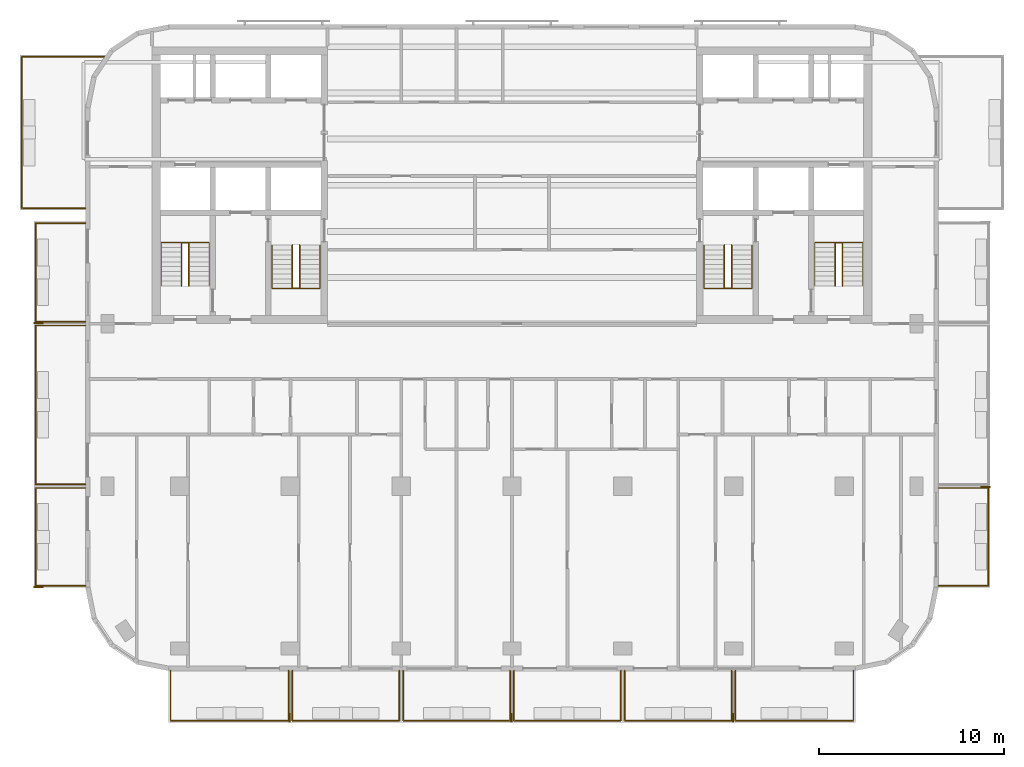
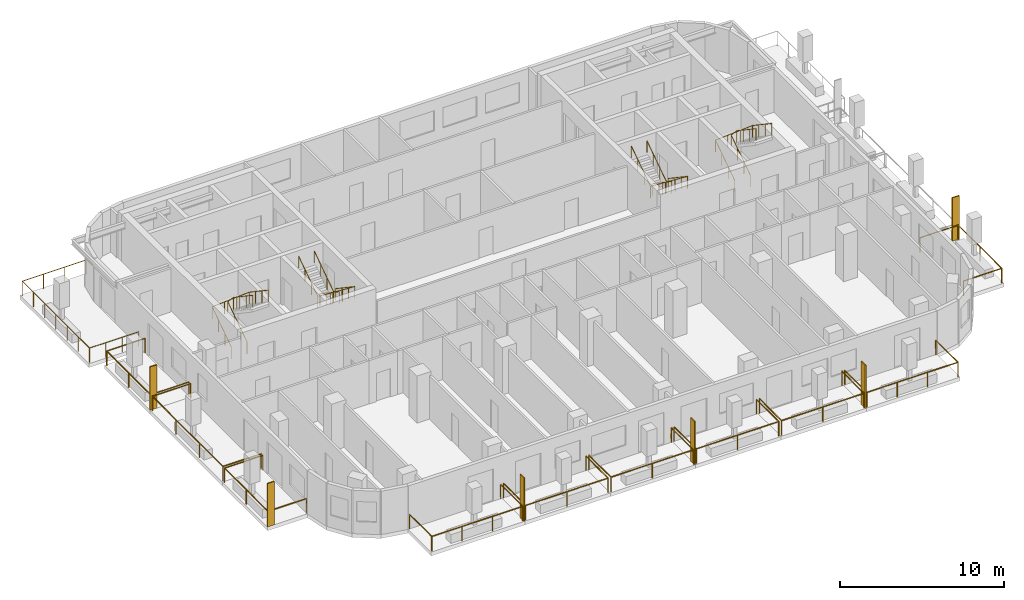
# One storey, part 9 of 11: 19 railings, 6 shading devices.
"""IFC4 building model written with IfcOpenShell, lengths in metres."""

import ifcopenshell
import ifcopenshell.guid

model = None  # the IFC model being written
_history = None  # IfcOwnerHistory: only IFC2X3 demands one
_inside = {}  # id of a spatial element -> (the spatial element, [elements in it])
_under = {}  # id of a project, library or spatial element -> (it, [spatial elements below it])
_declared = {}  # id of a project -> (the project, [libraries it declares])
_typed = {}  # id of a type object -> (the type object, [elements of that type])
_made_of = {}  # id of a material, layer set ... -> (it, [elements and type objects made of it])


def new_model(schema):
    """Start an empty IFC model of exactly this schema.

    Asked for "IFC4X3", IfcOpenShell would pick the latest addendum, in which some entities
    have other attributes; the version numbers below select the first issue.
    IFC2X3 requires an IfcOwnerHistory on every rooted entity: one is made here for all.
    """
    global model, _history
    if schema == "IFC4X3":
        model = ifcopenshell.file(schema_version=(4, 3, 0, 0))
    else:
        model = ifcopenshell.file(schema=schema)
    _inside.clear()
    _under.clear()
    _declared.clear()
    _typed.clear()
    _made_of.clear()
    _history = None
    if model.schema == "IFC2X3":
        org = make("IfcOrganization", Name="unknown")
        user = make(
            "IfcPersonAndOrganization",
            ThePerson=make("IfcPerson", FamilyName="unknown"),
            TheOrganization=org,
        )
        app = make(
            "IfcApplication",
            ApplicationDeveloper=org,
            Version="unknown",
            ApplicationFullName="unknown",
            ApplicationIdentifier="unknown",
        )
        _history = make(
            "IfcOwnerHistory",
            OwningUser=user,
            OwningApplication=app,
            ChangeAction="ADDED",
            CreationDate=0,
        )
    return model


def make(cls, **values):
    """One entity of the class cls with the attributes given. An attribute that is None is left unset."""
    return model.create_entity(
        cls, **{name: value for name, value in values.items() if value is not None}
    )


def rooted(cls, **values):
    """An entity with a GlobalId (a new one), such as an element, a storey or a relation."""
    return make(cls, GlobalId=ifcopenshell.guid.new(), OwnerHistory=_history, **values)


def si_unit(unit_type, name, prefix=None):
    """IfcSIUnit, for example si_unit("LENGTHUNIT", "METRE", prefix="MILLI")."""
    return make("IfcSIUnit", UnitType=unit_type, Prefix=prefix, Name=name)


def assignment(units):
    """IfcUnitAssignment: the units of a project."""
    return None if units is None else make("IfcUnitAssignment", Units=units)


def point(xyz):
    """IfcCartesianPoint."""
    return None if xyz is None else make("IfcCartesianPoint", Coordinates=xyz)


def direction(xyz):
    """IfcDirection."""
    return None if xyz is None else make("IfcDirection", DirectionRatios=xyz)


def frame(location, z_axis=None, x_axis=None):
    """IfcAxis2Placement3D, a coordinate frame: its origin and axes. An axis left out is left unset."""
    return make(
        "IfcAxis2Placement3D",
        Location=point(location),
        Axis=direction(z_axis),
        RefDirection=direction(x_axis),
    )


def frame_2d(location, x_axis=None):
    """IfcAxis2Placement2D, a coordinate frame in the plane: its origin and x axis."""
    return make(
        "IfcAxis2Placement2D", Location=point(location), RefDirection=direction(x_axis)
    )


def origin():
    """The frame at (0, 0, 0) with its axes left unset."""
    return frame((0.0, 0.0, 0.0))


def origin_2d():
    """The frame at (0, 0) in the plane with its x axis left unset."""
    return frame_2d((0.0, 0.0))


def place(relative_to, where):
    """IfcLocalPlacement: puts the frame where relative to a parent placement (None: the world)."""
    return make(
        "IfcLocalPlacement", PlacementRelTo=relative_to, RelativePlacement=where
    )


def context(
    kind, dimensions, precision=None, world=None, true_north=None, identifier=None
):
    """IfcGeometricRepresentationContext, for example the 3D "Model" context."""
    return make(
        "IfcGeometricRepresentationContext",
        ContextIdentifier=identifier,
        ContextType=kind,
        CoordinateSpaceDimension=dimensions,
        Precision=precision,
        WorldCoordinateSystem=world,
        TrueNorth=true_north,
    )


def subcontext(parent, identifier, kind, view, scale=None):
    """IfcGeometricRepresentationSubContext, for example "Body" below "Model"."""
    return make(
        "IfcGeometricRepresentationSubContext",
        ContextIdentifier=identifier,
        ContextType=kind,
        ParentContext=parent,
        TargetScale=scale,
        TargetView=view,
    )


def project(units=None, contexts=None):
    """IfcProject with its units and contexts."""
    return rooted(
        "IfcProject",
        Name="project",
        RepresentationContexts=contexts,
        UnitsInContext=assignment(units),
    )


def spatial(cls, under=None, at=None, **own):
    """A site, building, storey or space (cls), placed at a placement, below another one or the project."""
    s = rooted(cls, ObjectPlacement=at, **own)
    if under is not None:
        _under.setdefault(under.id(), (under, []))[1].append(s)
    return s


def profile(cls, at=None, kind="AREA", **sizes):
    """A parametric profile (cls). Its sizes go by their IFC names, for example OverallWidth=200.0."""
    return make(cls, ProfileType=kind, Position=at, **sizes)


def rectangle(**sizes):
    """IfcRectangleProfileDef."""
    return profile("IfcRectangleProfileDef", **sizes)


def circle(**sizes):
    """IfcCircleProfileDef."""
    return profile("IfcCircleProfileDef", **sizes)


def extrude(swept, where, along, depth):
    """IfcExtrudedAreaSolid: the profile swept, set in the frame where, extruded along a direction by depth."""
    return make(
        "IfcExtrudedAreaSolid",
        SweptArea=swept,
        Position=where,
        ExtrudedDirection=direction(along),
        Depth=depth,
    )


def shape(context_of_items, identifier, shape_type, items):
    """IfcShapeRepresentation: the items that make up one representation, for example the "Body"."""
    return make(
        "IfcShapeRepresentation",
        ContextOfItems=context_of_items,
        RepresentationIdentifier=identifier,
        RepresentationType=shape_type,
        Items=items,
    )


def material(Name=None, Category=None):
    """IfcMaterial."""
    return make("IfcMaterial", Name=Name, Category=Category)


def layer(
    of_material, thickness, ventilated=None, Name=None, Category=None, Priority=None
):
    """IfcMaterialLayer: one layer of a wall or slab, of a material (None: an air gap)."""
    return make(
        "IfcMaterialLayer",
        Material=of_material,
        LayerThickness=thickness,
        IsVentilated=ventilated,
        Name=Name,
        Category=Category,
        Priority=Priority,
    )


def layer_set(layers, Name=None):
    """IfcMaterialLayerSet."""
    return make("IfcMaterialLayerSet", MaterialLayers=layers, LayerSetName=Name)


def made_of(thing, what):
    """Note that an element or type object is made of a material, layer set ...; save() writes the relation."""
    if what is not None:
        _made_of.setdefault(what.id(), (what, []))[1].append(thing)
    return thing


def type_object(cls, material=None, **own):
    """A type object (cls), such as IfcWallType, which elements share."""
    return made_of(rooted(cls, **own), material)


def element(
    cls,
    number,
    at=None,
    inside=None,
    cuts=None,
    type_object=None,
    material=None,
    context=None,
    identifier="Body",
    shape_type=None,
    held_by="IfcProductDefinitionShape",
    body=None,
    shapes=None,
    **own,
):
    """One element of the class cls, such as IfcWall. Its Tag is "e" and its number.

    at: its placement. inside: the storey or other place that contains it. cuts: it is an
    opening in that element (IfcRelVoidsElement). A single representation is given by context,
    identifier, shape_type and body (its items); several are given by shapes. held_by: the class
    of the entity that holds the representations. save() writes the other relations.
    """
    e = rooted(cls, Tag="e%d" % number, ObjectPlacement=at, **own)
    if body is not None:
        shapes = [shape(context, identifier, shape_type, body)]
    if shapes is not None:
        e.Representation = make(held_by, Representations=shapes)
    if inside is not None:
        _inside.setdefault(inside.id(), (inside, []))[1].append(e)
    if cuts is not None:
        rooted(
            "IfcRelVoidsElement", RelatingBuildingElement=cuts, RelatedOpeningElement=e
        )
    if type_object is not None:
        _typed.setdefault(type_object.id(), (type_object, []))[1].append(e)
    return made_of(e, material)


def aggregate(whole, parts):
    """IfcRelAggregates: a whole, such as a stair, and the parts it consists of."""
    return rooted("IfcRelAggregates", RelatingObject=whole, RelatedObjects=parts)


def save(model, path):
    """Write the relations noted so far, then the file.

    IfcRelAggregates (storeys below a building ...), IfcRelContainedInSpatialStructure (elements
    in a storey), IfcRelDefinesByType, IfcRelAssociatesMaterial and IfcRelDeclares: one each for
    every whole, place, type object, material and project.
    """
    for whole, parts in _under.values():
        aggregate(whole, parts)
    for where, things in _inside.values():
        rooted(
            "IfcRelContainedInSpatialStructure",
            RelatedElements=things,
            RelatingStructure=where,
        )
    for kind, things in _typed.values():
        rooted("IfcRelDefinesByType", RelatedObjects=things, RelatingType=kind)
    for what, things in _made_of.values():
        rooted("IfcRelAssociatesMaterial", RelatedObjects=things, RelatingMaterial=what)
    for by, libraries in _declared.values():
        rooted("IfcRelDeclares", RelatingContext=by, RelatedDefinitions=libraries)
    model.write(path)


model = new_model("IFC4")

# Units and contexts
model_context = context("Model", 3, precision=1e-05, world=origin(), true_north=direction((0.0, 1.0)))
body_context = subcontext(model_context, "Body", "Model", "MODEL_VIEW")
ifc_project = project(units=[si_unit("LENGTHUNIT", "METRE"), si_unit("AREAUNIT", "SQUARE_METRE"), si_unit("VOLUMEUNIT", "CUBIC_METRE"), si_unit("PLANEANGLEUNIT", "RADIAN"), si_unit("MASSUNIT", "GRAM", prefix="KILO")], contexts=[model_context])

# Site, building, storey
site_placement = place(None, origin())
site = spatial("IfcSite", under=ifc_project, at=site_placement, CompositionType="ELEMENT")
building_placement = place(site_placement, origin())
building = spatial("IfcBuilding", under=site, at=building_placement, Name="Torana Hotel and Residences", CompositionType="ELEMENT")
storey_placement = place(building_placement, frame((0.0, 0.0, 298.10009765625)))
storey = spatial("IfcBuildingStorey", under=building, at=storey_placement, Name="L79", CompositionType="ELEMENT", Elevation=298.10009765625)

# Shading devices
ifc_material_1 = material(Name="Black powder coated aluminium", Category="aluminium")
ifc_layer = layer(ifc_material_1, 0.080078125)
ifc_layer_set = layer_set([ifc_layer], Name="FN1 VERTICAL FIN 500x80")
shading_device_type = type_object("IfcShadingDeviceType", Name="FN1 VERTICAL FIN 500x80", PredefinedType="USERDEFINED", material=ifc_layer_set)
for number, where, z_axis, x_axis, name in (
    (1, (-12.0400390625, -36.35009765625, 0.0), (0.0, 0.0, 1.0), (-1.0, 0.0, 0.0), "Fin 01"),
    (2, (-0.0400390625, -36.35009765625, 0.0), (0.0, 0.0, 1.0), (-1.0, 0.0, 0.0), "Fin 03"),
    (3, (11.9599609375, -36.35009765625, 0.0), (0.0, 0.0, 1.0), (-1.0, 0.0, 0.0), "Fin 05"),
    (4, (-25.64990234375, -29.260009765625, 0.0), (0.0, 0.0, 1.0), (0.0, 1.0, 0.0), "Fin 07"),
    (5, (-25.64990234375, -14.9599609375, 0.0), (0.0, 0.0, 1.0), (0.0, 1.0, 0.0), "Fin 09"),
    (6, (25.64990234375, -23.840087890625, 0.0), (0.0, 0.0, 1.0), (0.0, -1.0, 0.0), "Fin 11"),
):
    element("IfcShadingDevice", number, at=place(storey_placement, frame(where, z_axis=z_axis, x_axis=x_axis)), inside=storey, type_object=shading_device_type, Name=name, ObjectType="FIN", PredefinedType="USERDEFINED", context=body_context, shape_type="SweptSolid", body=[
        extrude(rectangle(XDim=0.080078125, YDim=0.5, at=origin_2d()), origin(), (0.0, 0.0, 1.0), 3.219970703125),
    ])

# Railings
ifc_material_2 = material(Name="Laminated glass balustrade with black handrail", Category="glass")
railing_type_1 = type_object("IfcRailingType", Name="GR1 BALCONY GUARD 1100 GLASS", PredefinedType="GUARDRAIL", material=ifc_material_2)
railing_1_placement = place(storey_placement, frame((-12.10009765625, -33.800048828125, 0.0)))
element("IfcRailing", 7, at=railing_1_placement, inside=storey, type_object=railing_type_1, Name="Balcony guard 01", PredefinedType="GUARDRAIL", context=body_context, shape_type="SweptSolid", body=[
    extrude(circle(Radius=0.02392578125, at=origin_2d()), frame((0.0, 0.0, 1.076171875), z_axis=(0.0, -1.0, 0.0), x_axis=(1.0, 0.0, 0.0)), (0.0, 0.0, 1.0), 2.699951171875),
    extrude(circle(Radius=0.02392578125, at=origin_2d()), frame((0.0, -2.699951171875, 1.076171875), z_axis=(-1.0, 0.0, 0.0), x_axis=(0.0, -1.0, 0.0)), (0.0, 0.0, 1.0), 6.39990234375),
    extrude(circle(Radius=0.02392578125, at=origin_2d()), frame((-6.39990234375, -2.699951171875, 1.076171875), z_axis=(0.0, 1.0, 0.0), x_axis=(-1.0, 0.0, 0.0)), (0.0, 0.0, 1.0), 2.699951171875),
    extrude(circle(Radius=0.02099609375, at=origin_2d()), origin(), (0.0, 0.0, 1.0), 1.052001953125),
    extrude(circle(Radius=0.02099609375, at=origin_2d()), frame((0.0, -2.699951171875, 0.0)), (0.0, 0.0, 1.0), 1.052001953125),
    extrude(circle(Radius=0.02099609375, at=origin_2d()), frame((-2.13330078125, -2.699951171875, 0.0)), (0.0, 0.0, 1.0), 1.052001953125),
    extrude(circle(Radius=0.02099609375, at=origin_2d()), frame((-4.2666015625, -2.699951171875, 0.0)), (0.0, 0.0, 1.0), 1.052001953125),
    extrude(circle(Radius=0.02099609375, at=origin_2d()), frame((-6.39990234375, -2.699951171875, 0.0)), (0.0, 0.0, 1.0), 1.052001953125),
    extrude(circle(Radius=0.02099609375, at=origin_2d()), frame((-6.39990234375, 0.0, 0.0)), (0.0, 0.0, 1.0), 1.052001953125),
])
for number, where, name in (
    (8, (-6.10009765625, -33.800048828125, 0.0), "Balcony guard 02"),
    (9, (-0.10009765625, -33.800048828125, 0.0), "Balcony guard 03"),
    (10, (5.89990234375, -33.800048828125, 0.0), "Balcony guard 04"),
    (11, (11.89990234375, -33.800048828125, 0.0), "Balcony guard 05"),
):
    element("IfcRailing", number, at=place(storey_placement, frame(where)), inside=storey, type_object=railing_type_1, Name=name, PredefinedType="GUARDRAIL", context=body_context, shape_type="SweptSolid", body=[
        extrude(circle(Radius=0.02392578125, at=origin_2d()), frame((0.0, 0.0, 1.076171875), z_axis=(0.0, -1.0, 0.0), x_axis=(1.0, 0.0, 0.0)), (0.0, 0.0, 1.0), 2.699951171875),
        extrude(circle(Radius=0.02392578125, at=origin_2d()), frame((0.0, -2.699951171875, 1.076171875), z_axis=(-1.0, 0.0, 0.0), x_axis=(0.0, -1.0, 0.0)), (0.0, 0.0, 1.0), 5.7998046875),
        extrude(circle(Radius=0.02392578125, at=origin_2d()), frame((-5.7998046875, -2.699951171875, 1.076171875), z_axis=(0.0, 1.0, 0.0), x_axis=(-1.0, 0.0, 0.0)), (0.0, 0.0, 1.0), 2.699951171875),
        extrude(circle(Radius=0.02099609375, at=origin_2d()), origin(), (0.0, 0.0, 1.0), 1.052001953125),
        extrude(circle(Radius=0.02099609375, at=origin_2d()), frame((0.0, -2.699951171875, 0.0)), (0.0, 0.0, 1.0), 1.052001953125),
        extrude(circle(Radius=0.02099609375, at=origin_2d()), frame((-2.89990234375, -2.699951171875, 0.0)), (0.0, 0.0, 1.0), 1.052001953125),
        extrude(circle(Radius=0.02099609375, at=origin_2d()), frame((-5.7998046875, -2.699951171875, 0.0)), (0.0, 0.0, 1.0), 1.052001953125),
        extrude(circle(Radius=0.02099609375, at=origin_2d()), frame((-5.7998046875, 0.0, 0.0)), (0.0, 0.0, 1.0), 1.052001953125),
    ])
railing_2_placement = place(storey_placement, frame((18.5, -33.800048828125, 0.0)))
element("IfcRailing", 12, at=railing_2_placement, inside=storey, type_object=railing_type_1, Name="Balcony guard 06", PredefinedType="GUARDRAIL", context=body_context, shape_type="SweptSolid", body=[
    extrude(circle(Radius=0.02392578125, at=origin_2d()), frame((0.0, 0.0, 1.076171875), z_axis=(0.0, -1.0, 0.0), x_axis=(1.0, 0.0, 0.0)), (0.0, 0.0, 1.0), 2.699951171875),
    extrude(circle(Radius=0.02392578125, at=origin_2d()), frame((0.0, -2.699951171875, 1.076171875), z_axis=(-1.0, 0.0, 0.0), x_axis=(0.0, -1.0, 0.0)), (0.0, 0.0, 1.0), 6.39990234375),
    extrude(circle(Radius=0.02392578125, at=origin_2d()), frame((-6.39990234375, -2.699951171875, 1.076171875), z_axis=(0.0, 1.0, 0.0), x_axis=(-1.0, 0.0, 0.0)), (0.0, 0.0, 1.0), 2.699951171875),
    extrude(circle(Radius=0.02099609375, at=origin_2d()), origin(), (0.0, 0.0, 1.0), 1.052001953125),
    extrude(circle(Radius=0.02099609375, at=origin_2d()), frame((0.0, -2.699951171875, 0.0)), (0.0, 0.0, 1.0), 1.052001953125),
    extrude(circle(Radius=0.02099609375, at=origin_2d()), frame((-2.13330078125, -2.699951171875, 0.0)), (0.0, 0.0, 1.0), 1.052001953125),
    extrude(circle(Radius=0.02099609375, at=origin_2d()), frame((-4.2666015625, -2.699951171875, 0.0)), (0.0, 0.0, 1.0), 1.052001953125),
    extrude(circle(Radius=0.02099609375, at=origin_2d()), frame((-6.39990234375, -2.699951171875, 0.0)), (0.0, 0.0, 1.0), 1.052001953125),
    extrude(circle(Radius=0.02099609375, at=origin_2d()), frame((-6.39990234375, 0.0, 0.0)), (0.0, 0.0, 1.0), 1.052001953125),
])
railing_3_placement = place(storey_placement, frame((-23.10009765625, -29.199951171875, 0.0)))
element("IfcRailing", 13, at=railing_3_placement, inside=storey, type_object=railing_type_1, Name="Balcony guard 07", PredefinedType="GUARDRAIL", context=body_context, shape_type="SweptSolid", body=[
    extrude(circle(Radius=0.02392578125, at=origin_2d()), frame((0.0, 0.0, 1.076171875), z_axis=(-1.0, 0.0, 0.0), x_axis=(0.0, -1.0, 0.0)), (0.0, 0.0, 1.0), 2.699951171875),
    extrude(circle(Radius=0.02392578125, at=origin_2d()), frame((-2.699951171875, 0.0, 1.076171875), z_axis=(0.0, 1.0, 0.0), x_axis=(-1.0, 0.0, 0.0)), (0.0, 0.0, 1.0), 5.300048828125),
    extrude(circle(Radius=0.02392578125, at=origin_2d()), frame((-2.699951171875, 5.300048828125, 1.076171875), z_axis=(1.0, 0.0, 0.0), x_axis=(0.0, 1.0, 0.0)), (0.0, 0.0, 1.0), 2.699951171875),
    extrude(circle(Radius=0.02099609375, at=origin_2d()), origin(), (0.0, 0.0, 1.0), 1.052001953125),
    extrude(circle(Radius=0.02099609375, at=origin_2d()), frame((-2.699951171875, 0.0, 0.0)), (0.0, 0.0, 1.0), 1.052001953125),
    extrude(circle(Radius=0.02099609375, at=origin_2d()), frame((-2.699951171875, 2.64990234375, 0.0)), (0.0, 0.0, 1.0), 1.052001953125),
    extrude(circle(Radius=0.02099609375, at=origin_2d()), frame((-2.699951171875, 5.300048828125, 0.0)), (0.0, 0.0, 1.0), 1.052001953125),
    extrude(circle(Radius=0.02099609375, at=origin_2d()), frame((0.0, 5.300048828125, 0.0)), (0.0, 0.0, 1.0), 1.052001953125),
])
railing_4_placement = place(storey_placement, frame((-23.10009765625, -23.699951171875, 0.0)))
element("IfcRailing", 14, at=railing_4_placement, inside=storey, type_object=railing_type_1, Name="Balcony guard 08", PredefinedType="GUARDRAIL", context=body_context, shape_type="SweptSolid", body=[
    extrude(circle(Radius=0.02392578125, at=origin_2d()), frame((0.0, 0.0, 1.076171875), z_axis=(-1.0, 0.0, 0.0), x_axis=(0.0, -1.0, 0.0)), (0.0, 0.0, 1.0), 2.699951171875),
    extrude(circle(Radius=0.02392578125, at=origin_2d()), frame((-2.699951171875, 0.0, 1.076171875), z_axis=(0.0, 1.0, 0.0), x_axis=(-1.0, 0.0, 0.0)), (0.0, 0.0, 1.0), 8.599853515625),
    extrude(circle(Radius=0.02392578125, at=origin_2d()), frame((-2.699951171875, 8.599853515625, 1.076171875), z_axis=(1.0, 0.0, 0.0), x_axis=(0.0, 1.0, 0.0)), (0.0, 0.0, 1.0), 2.699951171875),
    extrude(circle(Radius=0.02099609375, at=origin_2d()), origin(), (0.0, 0.0, 1.0), 1.052001953125),
    extrude(circle(Radius=0.02099609375, at=origin_2d()), frame((-2.699951171875, 0.0, 0.0)), (0.0, 0.0, 1.0), 1.052001953125),
    extrude(circle(Radius=0.02099609375, at=origin_2d()), frame((-2.699951171875, 2.86669921875, 0.0)), (0.0, 0.0, 1.0), 1.052001953125),
    extrude(circle(Radius=0.02099609375, at=origin_2d()), frame((-2.699951171875, 5.733154296875, 0.0)), (0.0, 0.0, 1.0), 1.052001953125),
    extrude(circle(Radius=0.02099609375, at=origin_2d()), frame((-2.699951171875, 8.599853515625, 0.0)), (0.0, 0.0, 1.0), 1.052001953125),
    extrude(circle(Radius=0.02099609375, at=origin_2d()), frame((0.0, 8.599853515625, 0.0)), (0.0, 0.0, 1.0), 1.052001953125),
])
railing_5_placement = place(storey_placement, frame((-23.10009765625, -14.89990234375, 0.0)))
element("IfcRailing", 15, at=railing_5_placement, inside=storey, type_object=railing_type_1, Name="Balcony guard 09", PredefinedType="GUARDRAIL", context=body_context, shape_type="SweptSolid", body=[
    extrude(circle(Radius=0.02392578125, at=origin_2d()), frame((0.0, 0.0, 1.076171875), z_axis=(-1.0, 0.0, 0.0), x_axis=(0.0, -1.0, 0.0)), (0.0, 0.0, 1.0), 2.699951171875),
    extrude(circle(Radius=0.02392578125, at=origin_2d()), frame((-2.699951171875, 0.0, 1.076171875), z_axis=(0.0, 1.0, 0.0), x_axis=(-1.0, 0.0, 0.0)), (0.0, 0.0, 1.0), 5.349853515625),
    extrude(circle(Radius=0.02392578125, at=origin_2d()), frame((-2.699951171875, 5.349853515625, 1.076171875), z_axis=(1.0, 0.0, 0.0), x_axis=(0.0, 1.0, 0.0)), (0.0, 0.0, 1.0), 2.699951171875),
    extrude(circle(Radius=0.02099609375, at=origin_2d()), origin(), (0.0, 0.0, 1.0), 1.052001953125),
    extrude(circle(Radius=0.02099609375, at=origin_2d()), frame((-2.699951171875, 0.0, 0.0)), (0.0, 0.0, 1.0), 1.052001953125),
    extrude(circle(Radius=0.02099609375, at=origin_2d()), frame((-2.699951171875, 2.6748046875, 0.0)), (0.0, 0.0, 1.0), 1.052001953125),
    extrude(circle(Radius=0.02099609375, at=origin_2d()), frame((-2.699951171875, 5.349853515625, 0.0)), (0.0, 0.0, 1.0), 1.052001953125),
    extrude(circle(Radius=0.02099609375, at=origin_2d()), frame((0.0, 5.349853515625, 0.0)), (0.0, 0.0, 1.0), 1.052001953125),
])
railing_6_placement = place(storey_placement, frame((-23.10009765625, -8.75, 0.0)))
element("IfcRailing", 16, at=railing_6_placement, inside=storey, type_object=railing_type_1, Name="Balcony guard 10", PredefinedType="GUARDRAIL", context=body_context, shape_type="SweptSolid", body=[
    extrude(circle(Radius=0.02392578125, at=origin_2d()), frame((0.0, 0.0, 1.076171875), z_axis=(-1.0, 0.0, 0.0), x_axis=(0.0, -1.0, 0.0)), (0.0, 0.0, 1.0), 3.449951171875),
    extrude(circle(Radius=0.02392578125, at=origin_2d()), frame((-3.449951171875, 0.0, 1.076171875), z_axis=(0.0, 1.0, 0.0), x_axis=(-1.0, 0.0, 0.0)), (0.0, 0.0, 1.0), 8.199951171875),
    extrude(circle(Radius=0.02392578125, at=origin_2d()), frame((-3.449951171875, 8.199951171875, 1.076171875), z_axis=(1.0, 0.0, 0.0), x_axis=(0.0, 1.0, 0.0)), (0.0, 0.0, 1.0), 4.479248046875),
    extrude(circle(Radius=0.02099609375, at=origin_2d()), origin(), (0.0, 0.0, 1.0), 1.052001953125),
    extrude(circle(Radius=0.02099609375, at=origin_2d()), frame((-1.14990234375, 0.0, 0.0)), (0.0, 0.0, 1.0), 1.052001953125),
    extrude(circle(Radius=0.02099609375, at=origin_2d()), frame((-2.300048828125, 0.0, 0.0)), (0.0, 0.0, 1.0), 1.052001953125),
    extrude(circle(Radius=0.02099609375, at=origin_2d()), frame((-3.449951171875, 0.0, 0.0)), (0.0, 0.0, 1.0), 1.052001953125),
    extrude(circle(Radius=0.02099609375, at=origin_2d()), frame((-3.449951171875, 1.36669921875, 0.0)), (0.0, 0.0, 1.0), 1.052001953125),
    extrude(circle(Radius=0.02099609375, at=origin_2d()), frame((-3.449951171875, 2.7333984375, 0.0)), (0.0, 0.0, 1.0), 1.052001953125),
    extrude(circle(Radius=0.02099609375, at=origin_2d()), frame((-3.449951171875, 4.10009765625, 0.0)), (0.0, 0.0, 1.0), 1.052001953125),
    extrude(circle(Radius=0.02099609375, at=origin_2d()), frame((-3.449951171875, 5.466552734375, 0.0)), (0.0, 0.0, 1.0), 1.052001953125),
    extrude(circle(Radius=0.02099609375, at=origin_2d()), frame((-3.449951171875, 6.833251953125, 0.0)), (0.0, 0.0, 1.0), 1.052001953125),
    extrude(circle(Radius=0.02099609375, at=origin_2d()), frame((-3.449951171875, 8.199951171875, 0.0)), (0.0, 0.0, 1.0), 1.052001953125),
    extrude(circle(Radius=0.02099609375, at=origin_2d()), frame((-1.956787109375, 8.199951171875, 0.0)), (0.0, 0.0, 1.0), 1.052001953125),
    extrude(circle(Radius=0.02099609375, at=origin_2d()), frame((-0.4638671875, 8.199951171875, 0.0)), (0.0, 0.0, 1.0), 1.052001953125),
    extrude(circle(Radius=0.02099609375, at=origin_2d()), frame((1.029296875, 8.199951171875, 0.0)), (0.0, 0.0, 1.0), 1.052001953125),
])
railing_7_placement = place(storey_placement, frame((23.10009765625, -23.89990234375, 0.0)))
element("IfcRailing", 17, at=railing_7_placement, inside=storey, type_object=railing_type_1, Name="Balcony guard 11", PredefinedType="GUARDRAIL", context=body_context, shape_type="SweptSolid", body=[
    extrude(circle(Radius=0.02392578125, at=origin_2d()), frame((0.0, 0.0, 1.076171875), z_axis=(1.0, 0.0, 0.0), x_axis=(0.0, 1.0, 0.0)), (0.0, 0.0, 1.0), 2.699951171875),
    extrude(circle(Radius=0.02392578125, at=origin_2d()), frame((2.699951171875, 0.0, 1.076171875), z_axis=(0.0, -1.0, 0.0), x_axis=(1.0, 0.0, 0.0)), (0.0, 0.0, 1.0), 5.300048828125),
    extrude(circle(Radius=0.02392578125, at=origin_2d()), frame((2.699951171875, -5.300048828125, 1.076171875), z_axis=(-1.0, 0.0, 0.0), x_axis=(0.0, -1.0, 0.0)), (0.0, 0.0, 1.0), 2.699951171875),
    extrude(circle(Radius=0.02099609375, at=origin_2d()), origin(), (0.0, 0.0, 1.0), 1.052001953125),
    extrude(circle(Radius=0.02099609375, at=origin_2d()), frame((2.699951171875, 0.0, 0.0)), (0.0, 0.0, 1.0), 1.052001953125),
    extrude(circle(Radius=0.02099609375, at=origin_2d()), frame((2.699951171875, -2.64990234375, 0.0)), (0.0, 0.0, 1.0), 1.052001953125),
    extrude(circle(Radius=0.02099609375, at=origin_2d()), frame((2.699951171875, -5.300048828125, 0.0)), (0.0, 0.0, 1.0), 1.052001953125),
    extrude(circle(Radius=0.02099609375, at=origin_2d()), frame((0.0, -5.300048828125, 0.0)), (0.0, 0.0, 1.0), 1.052001953125),
])
ifc_material_3 = material(Name="Stainless steel 316", Category="steel")
railing_type_2 = type_object("IfcRailingType", Name="STAIR HANDRAIL HR1 900", PredefinedType="HANDRAIL", material=ifc_material_3)
railing_8_placement = place(storey_placement, frame((-10.39990234375, -10.75, 0.1748046875)))
element("IfcRailing", 18, at=railing_8_placement, inside=storey, type_object=railing_type_2, Name="Handrail ST1 L79 O1", PredefinedType="HANDRAIL", context=body_context, shape_type="SweptSolid", body=[
    extrude(circle(Radius=0.02392578125, at=origin_2d()), frame((0.0, 0.0, 0.8759765625), z_axis=(0.0, -0.829565388462, 0.558409586474), x_axis=(1.0, 0.0, 0.0)), (0.0, 0.0, 1.0), 2.82080078125),
    extrude(circle(Radius=0.02392578125, at=origin_2d()), frame((0.0, -2.340087890625, 2.451171875), z_axis=(-0.997747692642, 0.0, 0.067078624219), x_axis=(0.0, -1.0, 0.0)), (0.0, 0.0, 1.0), 2.60595703125),
    extrude(circle(Radius=0.02392578125, at=origin_2d()), frame((-2.60009765625, -2.340087890625, 2.6259765625), z_axis=(0.0, 0.829565388462, 0.558409586474), x_axis=(-1.0, 0.0, 0.0)), (0.0, 0.0, 1.0), 2.82080078125),
    extrude(circle(Radius=0.02099609375, at=origin_2d()), origin(), (0.0, 0.0, 1.0), 0.851806640625),
    extrude(circle(Radius=0.02099609375, at=origin_2d()), frame((0.0, -0.780029296875, 0.525146484375)), (0.0, 0.0, 1.0), 0.851806640625),
    extrude(circle(Radius=0.02099609375, at=origin_2d()), frame((0.0, -1.56005859375, 1.050048828125)), (0.0, 0.0, 1.0), 0.851806640625),
    extrude(circle(Radius=0.02099609375, at=origin_2d()), frame((0.0, -2.340087890625, 1.5751953125)), (0.0, 0.0, 1.0), 0.851806640625),
    extrude(circle(Radius=0.02099609375, at=origin_2d()), frame((-0.86669921875, -2.340087890625, 1.633544921875)), (0.0, 0.0, 1.0), 0.851806640625),
    extrude(circle(Radius=0.02099609375, at=origin_2d()), frame((-1.7333984375, -2.340087890625, 1.691650390625)), (0.0, 0.0, 1.0), 0.851806640625),
    extrude(circle(Radius=0.02099609375, at=origin_2d()), frame((-2.60009765625, -2.340087890625, 1.75)), (0.0, 0.0, 1.0), 0.851806640625),
    extrude(circle(Radius=0.02099609375, at=origin_2d()), frame((-2.60009765625, -1.56005859375, 2.275146484375)), (0.0, 0.0, 1.0), 0.851806640625),
    extrude(circle(Radius=0.02099609375, at=origin_2d()), frame((-2.60009765625, -0.780029296875, 2.800048828125)), (0.0, 0.0, 1.0), 0.851806640625),
    extrude(circle(Radius=0.02099609375, at=origin_2d()), frame((-2.60009765625, 0.0, 3.3251953125)), (0.0, 0.0, 1.0), 0.851806640625),
])
railing_9_placement = place(storey_placement, frame((-11.5, -10.75, 0.1748046875)))
element("IfcRailing", 19, at=railing_9_placement, inside=storey, type_object=railing_type_2, Name="Handrail ST1 L79 I1", PredefinedType="HANDRAIL", context=body_context, shape_type="SweptSolid", body=[
    extrude(circle(Radius=0.02392578125, at=origin_2d()), frame((0.0, 0.0, 0.8759765625), z_axis=(0.0, -0.829565388462, 0.558409586474), x_axis=(1.0, 0.0, 0.0)), (0.0, 0.0, 1.0), 2.82080078125),
    extrude(circle(Radius=0.02392578125, at=origin_2d()), frame((0.0, -2.340087890625, 2.451171875), z_axis=(-0.916285673175, 0.0, 0.400525361412), x_axis=(0.0, -1.0, 0.0)), (0.0, 0.0, 1.0), 0.4365234375),
    extrude(circle(Radius=0.02392578125, at=origin_2d()), frame((-0.39990234375, -2.340087890625, 2.6259765625), z_axis=(0.0, 0.829565388462, 0.558409586474), x_axis=(-1.0, 0.0, 0.0)), (0.0, 0.0, 1.0), 2.82080078125),
    extrude(circle(Radius=0.02099609375, at=origin_2d()), origin(), (0.0, 0.0, 1.0), 0.851806640625),
    extrude(circle(Radius=0.02099609375, at=origin_2d()), frame((0.0, -0.780029296875, 0.525146484375)), (0.0, 0.0, 1.0), 0.851806640625),
    extrude(circle(Radius=0.02099609375, at=origin_2d()), frame((0.0, -1.56005859375, 1.050048828125)), (0.0, 0.0, 1.0), 0.851806640625),
    extrude(circle(Radius=0.02099609375, at=origin_2d()), frame((0.0, -2.340087890625, 1.5751953125)), (0.0, 0.0, 1.0), 0.851806640625),
    extrude(circle(Radius=0.02099609375, at=origin_2d()), frame((-0.39990234375, -2.340087890625, 1.75)), (0.0, 0.0, 1.0), 0.851806640625),
    extrude(circle(Radius=0.02099609375, at=origin_2d()), frame((-0.39990234375, -1.56005859375, 2.275146484375)), (0.0, 0.0, 1.0), 0.851806640625),
    extrude(circle(Radius=0.02099609375, at=origin_2d()), frame((-0.39990234375, -0.780029296875, 2.800048828125)), (0.0, 0.0, 1.0), 0.851806640625),
    extrude(circle(Radius=0.02099609375, at=origin_2d()), frame((-0.39990234375, 0.0, 3.3251953125)), (0.0, 0.0, 1.0), 0.851806640625),
])
railing_10_placement = place(storey_placement, frame((-19.0, -12.949951171875, 0.1748046875)))
element("IfcRailing", 20, at=railing_10_placement, inside=storey, type_object=railing_type_2, Name="Handrail ST2 L79 O1", PredefinedType="HANDRAIL", context=body_context, shape_type="SweptSolid", body=[
    extrude(circle(Radius=0.02392578125, at=origin_2d()), frame((0.0, 0.0, 0.8759765625), z_axis=(0.0, 0.829538397957, 0.558449681095), x_axis=(-1.0, 0.0, 0.0)), (0.0, 0.0, 1.0), 2.820556640625),
    extrude(circle(Radius=0.02392578125, at=origin_2d()), frame((0.0, 2.33984375, 2.451171875), z_axis=(0.997747692642, 0.0, 0.067078624219), x_axis=(0.0, 1.0, 0.0)), (0.0, 0.0, 1.0), 2.60595703125),
    extrude(circle(Radius=0.02392578125, at=origin_2d()), frame((2.60009765625, 2.33984375, 2.6259765625), z_axis=(0.0, -0.829538397957, 0.558449681095), x_axis=(1.0, 0.0, 0.0)), (0.0, 0.0, 1.0), 2.820556640625),
    extrude(circle(Radius=0.02099609375, at=origin_2d()), origin(), (0.0, 0.0, 1.0), 0.851806640625),
    extrude(circle(Radius=0.02099609375, at=origin_2d()), frame((0.0, 0.780029296875, 0.525146484375)), (0.0, 0.0, 1.0), 0.851806640625),
    extrude(circle(Radius=0.02099609375, at=origin_2d()), frame((0.0, 1.559814453125, 1.050048828125)), (0.0, 0.0, 1.0), 0.851806640625),
    extrude(circle(Radius=0.02099609375, at=origin_2d()), frame((0.0, 2.33984375, 1.5751953125)), (0.0, 0.0, 1.0), 0.851806640625),
    extrude(circle(Radius=0.02099609375, at=origin_2d()), frame((0.86669921875, 2.33984375, 1.633544921875)), (0.0, 0.0, 1.0), 0.851806640625),
    extrude(circle(Radius=0.02099609375, at=origin_2d()), frame((1.7333984375, 2.33984375, 1.691650390625)), (0.0, 0.0, 1.0), 0.851806640625),
    extrude(circle(Radius=0.02099609375, at=origin_2d()), frame((2.60009765625, 2.33984375, 1.75)), (0.0, 0.0, 1.0), 0.851806640625),
    extrude(circle(Radius=0.02099609375, at=origin_2d()), frame((2.60009765625, 1.559814453125, 2.275146484375)), (0.0, 0.0, 1.0), 0.851806640625),
    extrude(circle(Radius=0.02099609375, at=origin_2d()), frame((2.60009765625, 0.780029296875, 2.800048828125)), (0.0, 0.0, 1.0), 0.851806640625),
    extrude(circle(Radius=0.02099609375, at=origin_2d()), frame((2.60009765625, 0.0, 3.3251953125)), (0.0, 0.0, 1.0), 0.851806640625),
])
railing_11_placement = place(storey_placement, frame((-17.89990234375, -12.949951171875, 0.1748046875)))
element("IfcRailing", 21, at=railing_11_placement, inside=storey, type_object=railing_type_2, Name="Handrail ST2 L79 I1", PredefinedType="HANDRAIL", context=body_context, shape_type="SweptSolid", body=[
    extrude(circle(Radius=0.02392578125, at=origin_2d()), frame((0.0, 0.0, 0.8759765625), z_axis=(0.0, 0.829538397957, 0.558449681095), x_axis=(-1.0, 0.0, 0.0)), (0.0, 0.0, 1.0), 2.820556640625),
    extrude(circle(Radius=0.02392578125, at=origin_2d()), frame((0.0, 2.33984375, 2.451171875), z_axis=(0.916285673175, 0.0, 0.400525361412), x_axis=(0.0, 1.0, 0.0)), (0.0, 0.0, 1.0), 0.4365234375),
    extrude(circle(Radius=0.02392578125, at=origin_2d()), frame((0.39990234375, 2.33984375, 2.6259765625), z_axis=(0.0, -0.829538397957, 0.558449681095), x_axis=(1.0, 0.0, 0.0)), (0.0, 0.0, 1.0), 2.820556640625),
    extrude(circle(Radius=0.02099609375, at=origin_2d()), origin(), (0.0, 0.0, 1.0), 0.851806640625),
    extrude(circle(Radius=0.02099609375, at=origin_2d()), frame((0.0, 0.780029296875, 0.525146484375)), (0.0, 0.0, 1.0), 0.851806640625),
    extrude(circle(Radius=0.02099609375, at=origin_2d()), frame((0.0, 1.559814453125, 1.050048828125)), (0.0, 0.0, 1.0), 0.851806640625),
    extrude(circle(Radius=0.02099609375, at=origin_2d()), frame((0.0, 2.33984375, 1.5751953125)), (0.0, 0.0, 1.0), 0.851806640625),
    extrude(circle(Radius=0.02099609375, at=origin_2d()), frame((0.39990234375, 2.33984375, 1.75)), (0.0, 0.0, 1.0), 0.851806640625),
    extrude(circle(Radius=0.02099609375, at=origin_2d()), frame((0.39990234375, 1.559814453125, 2.275146484375)), (0.0, 0.0, 1.0), 0.851806640625),
    extrude(circle(Radius=0.02099609375, at=origin_2d()), frame((0.39990234375, 0.780029296875, 2.800048828125)), (0.0, 0.0, 1.0), 0.851806640625),
    extrude(circle(Radius=0.02099609375, at=origin_2d()), frame((0.39990234375, 0.0, 3.3251953125)), (0.0, 0.0, 1.0), 0.851806640625),
])
railing_12_placement = place(storey_placement, frame((13.0, -10.75, 0.1748046875)))
element("IfcRailing", 22, at=railing_12_placement, inside=storey, type_object=railing_type_2, Name="Handrail ST3 L79 O1", PredefinedType="HANDRAIL", context=body_context, shape_type="SweptSolid", body=[
    extrude(circle(Radius=0.02392578125, at=origin_2d()), frame((0.0, 0.0, 0.8759765625), z_axis=(0.0, -0.829565388462, 0.558409586474), x_axis=(1.0, 0.0, 0.0)), (0.0, 0.0, 1.0), 2.82080078125),
    extrude(circle(Radius=0.02392578125, at=origin_2d()), frame((0.0, -2.340087890625, 2.451171875), z_axis=(-0.997747692642, 0.0, 0.067078624219), x_axis=(0.0, -1.0, 0.0)), (0.0, 0.0, 1.0), 2.60595703125),
    extrude(circle(Radius=0.02392578125, at=origin_2d()), frame((-2.60009765625, -2.340087890625, 2.6259765625), z_axis=(0.0, 0.829565388462, 0.558409586474), x_axis=(-1.0, 0.0, 0.0)), (0.0, 0.0, 1.0), 2.82080078125),
    extrude(circle(Radius=0.02099609375, at=origin_2d()), origin(), (0.0, 0.0, 1.0), 0.851806640625),
    extrude(circle(Radius=0.02099609375, at=origin_2d()), frame((0.0, -0.780029296875, 0.525146484375)), (0.0, 0.0, 1.0), 0.851806640625),
    extrude(circle(Radius=0.02099609375, at=origin_2d()), frame((0.0, -1.56005859375, 1.050048828125)), (0.0, 0.0, 1.0), 0.851806640625),
    extrude(circle(Radius=0.02099609375, at=origin_2d()), frame((0.0, -2.340087890625, 1.5751953125)), (0.0, 0.0, 1.0), 0.851806640625),
    extrude(circle(Radius=0.02099609375, at=origin_2d()), frame((-0.86669921875, -2.340087890625, 1.633544921875)), (0.0, 0.0, 1.0), 0.851806640625),
    extrude(circle(Radius=0.02099609375, at=origin_2d()), frame((-1.7333984375, -2.340087890625, 1.691650390625)), (0.0, 0.0, 1.0), 0.851806640625),
    extrude(circle(Radius=0.02099609375, at=origin_2d()), frame((-2.60009765625, -2.340087890625, 1.75)), (0.0, 0.0, 1.0), 0.851806640625),
    extrude(circle(Radius=0.02099609375, at=origin_2d()), frame((-2.60009765625, -1.56005859375, 2.275146484375)), (0.0, 0.0, 1.0), 0.851806640625),
    extrude(circle(Radius=0.02099609375, at=origin_2d()), frame((-2.60009765625, -0.780029296875, 2.800048828125)), (0.0, 0.0, 1.0), 0.851806640625),
    extrude(circle(Radius=0.02099609375, at=origin_2d()), frame((-2.60009765625, 0.0, 3.3251953125)), (0.0, 0.0, 1.0), 0.851806640625),
])
railing_13_placement = place(storey_placement, frame((11.89990234375, -10.75, 0.1748046875)))
element("IfcRailing", 23, at=railing_13_placement, inside=storey, type_object=railing_type_2, Name="Handrail ST3 L79 I1", PredefinedType="HANDRAIL", context=body_context, shape_type="SweptSolid", body=[
    extrude(circle(Radius=0.02392578125, at=origin_2d()), frame((0.0, 0.0, 0.8759765625), z_axis=(0.0, -0.829565388462, 0.558409586474), x_axis=(1.0, 0.0, 0.0)), (0.0, 0.0, 1.0), 2.82080078125),
    extrude(circle(Radius=0.02392578125, at=origin_2d()), frame((0.0, -2.340087890625, 2.451171875), z_axis=(-0.916285673175, 0.0, 0.400525361412), x_axis=(0.0, -1.0, 0.0)), (0.0, 0.0, 1.0), 0.4365234375),
    extrude(circle(Radius=0.02392578125, at=origin_2d()), frame((-0.39990234375, -2.340087890625, 2.6259765625), z_axis=(0.0, 0.829565388462, 0.558409586474), x_axis=(-1.0, 0.0, 0.0)), (0.0, 0.0, 1.0), 2.82080078125),
    extrude(circle(Radius=0.02099609375, at=origin_2d()), origin(), (0.0, 0.0, 1.0), 0.851806640625),
    extrude(circle(Radius=0.02099609375, at=origin_2d()), frame((0.0, -0.780029296875, 0.525146484375)), (0.0, 0.0, 1.0), 0.851806640625),
    extrude(circle(Radius=0.02099609375, at=origin_2d()), frame((0.0, -1.56005859375, 1.050048828125)), (0.0, 0.0, 1.0), 0.851806640625),
    extrude(circle(Radius=0.02099609375, at=origin_2d()), frame((0.0, -2.340087890625, 1.5751953125)), (0.0, 0.0, 1.0), 0.851806640625),
    extrude(circle(Radius=0.02099609375, at=origin_2d()), frame((-0.39990234375, -2.340087890625, 1.75)), (0.0, 0.0, 1.0), 0.851806640625),
    extrude(circle(Radius=0.02099609375, at=origin_2d()), frame((-0.39990234375, -1.56005859375, 2.275146484375)), (0.0, 0.0, 1.0), 0.851806640625),
    extrude(circle(Radius=0.02099609375, at=origin_2d()), frame((-0.39990234375, -0.780029296875, 2.800048828125)), (0.0, 0.0, 1.0), 0.851806640625),
    extrude(circle(Radius=0.02099609375, at=origin_2d()), frame((-0.39990234375, 0.0, 3.3251953125)), (0.0, 0.0, 1.0), 0.851806640625),
])
railing_14_placement = place(storey_placement, frame((16.39990234375, -12.949951171875, 0.1748046875)))
element("IfcRailing", 24, at=railing_14_placement, inside=storey, type_object=railing_type_2, Name="Handrail ST4 L79 O1", PredefinedType="HANDRAIL", context=body_context, shape_type="SweptSolid", body=[
    extrude(circle(Radius=0.02392578125, at=origin_2d()), frame((0.0, 0.0, 0.8759765625), z_axis=(0.0, 0.829538397957, 0.558449681095), x_axis=(-1.0, 0.0, 0.0)), (0.0, 0.0, 1.0), 2.820556640625),
    extrude(circle(Radius=0.02392578125, at=origin_2d()), frame((0.0, 2.33984375, 2.451171875), z_axis=(0.997747692642, 0.0, 0.067078624219), x_axis=(0.0, 1.0, 0.0)), (0.0, 0.0, 1.0), 2.60595703125),
    extrude(circle(Radius=0.02392578125, at=origin_2d()), frame((2.60009765625, 2.33984375, 2.6259765625), z_axis=(0.0, -0.829538397957, 0.558449681095), x_axis=(1.0, 0.0, 0.0)), (0.0, 0.0, 1.0), 2.820556640625),
    extrude(circle(Radius=0.02099609375, at=origin_2d()), origin(), (0.0, 0.0, 1.0), 0.851806640625),
    extrude(circle(Radius=0.02099609375, at=origin_2d()), frame((0.0, 0.780029296875, 0.525146484375)), (0.0, 0.0, 1.0), 0.851806640625),
    extrude(circle(Radius=0.02099609375, at=origin_2d()), frame((0.0, 1.559814453125, 1.050048828125)), (0.0, 0.0, 1.0), 0.851806640625),
    extrude(circle(Radius=0.02099609375, at=origin_2d()), frame((0.0, 2.33984375, 1.5751953125)), (0.0, 0.0, 1.0), 0.851806640625),
    extrude(circle(Radius=0.02099609375, at=origin_2d()), frame((0.86669921875, 2.33984375, 1.633544921875)), (0.0, 0.0, 1.0), 0.851806640625),
    extrude(circle(Radius=0.02099609375, at=origin_2d()), frame((1.7333984375, 2.33984375, 1.691650390625)), (0.0, 0.0, 1.0), 0.851806640625),
    extrude(circle(Radius=0.02099609375, at=origin_2d()), frame((2.60009765625, 2.33984375, 1.75)), (0.0, 0.0, 1.0), 0.851806640625),
    extrude(circle(Radius=0.02099609375, at=origin_2d()), frame((2.60009765625, 1.559814453125, 2.275146484375)), (0.0, 0.0, 1.0), 0.851806640625),
    extrude(circle(Radius=0.02099609375, at=origin_2d()), frame((2.60009765625, 0.780029296875, 2.800048828125)), (0.0, 0.0, 1.0), 0.851806640625),
    extrude(circle(Radius=0.02099609375, at=origin_2d()), frame((2.60009765625, 0.0, 3.3251953125)), (0.0, 0.0, 1.0), 0.851806640625),
])
railing_15_placement = place(storey_placement, frame((17.5, -12.949951171875, 0.1748046875)))
element("IfcRailing", 25, at=railing_15_placement, inside=storey, type_object=railing_type_2, Name="Handrail ST4 L79 I1", PredefinedType="HANDRAIL", context=body_context, shape_type="SweptSolid", body=[
    extrude(circle(Radius=0.02392578125, at=origin_2d()), frame((0.0, 0.0, 0.8759765625), z_axis=(0.0, 0.829538397957, 0.558449681095), x_axis=(-1.0, 0.0, 0.0)), (0.0, 0.0, 1.0), 2.820556640625),
    extrude(circle(Radius=0.02392578125, at=origin_2d()), frame((0.0, 2.33984375, 2.451171875), z_axis=(0.916285673175, 0.0, 0.400525361412), x_axis=(0.0, 1.0, 0.0)), (0.0, 0.0, 1.0), 0.4365234375),
    extrude(circle(Radius=0.02392578125, at=origin_2d()), frame((0.39990234375, 2.33984375, 2.6259765625), z_axis=(0.0, -0.829538397957, 0.558449681095), x_axis=(1.0, 0.0, 0.0)), (0.0, 0.0, 1.0), 2.820556640625),
    extrude(circle(Radius=0.02099609375, at=origin_2d()), origin(), (0.0, 0.0, 1.0), 0.851806640625),
    extrude(circle(Radius=0.02099609375, at=origin_2d()), frame((0.0, 0.780029296875, 0.525146484375)), (0.0, 0.0, 1.0), 0.851806640625),
    extrude(circle(Radius=0.02099609375, at=origin_2d()), frame((0.0, 1.559814453125, 1.050048828125)), (0.0, 0.0, 1.0), 0.851806640625),
    extrude(circle(Radius=0.02099609375, at=origin_2d()), frame((0.0, 2.33984375, 1.5751953125)), (0.0, 0.0, 1.0), 0.851806640625),
    extrude(circle(Radius=0.02099609375, at=origin_2d()), frame((0.39990234375, 2.33984375, 1.75)), (0.0, 0.0, 1.0), 0.851806640625),
    extrude(circle(Radius=0.02099609375, at=origin_2d()), frame((0.39990234375, 1.559814453125, 2.275146484375)), (0.0, 0.0, 1.0), 0.851806640625),
    extrude(circle(Radius=0.02099609375, at=origin_2d()), frame((0.39990234375, 0.780029296875, 2.800048828125)), (0.0, 0.0, 1.0), 0.851806640625),
    extrude(circle(Radius=0.02099609375, at=origin_2d()), frame((0.39990234375, 0.0, 3.3251953125)), (0.0, 0.0, 1.0), 0.851806640625),
])

save(model, "model.ifc")
